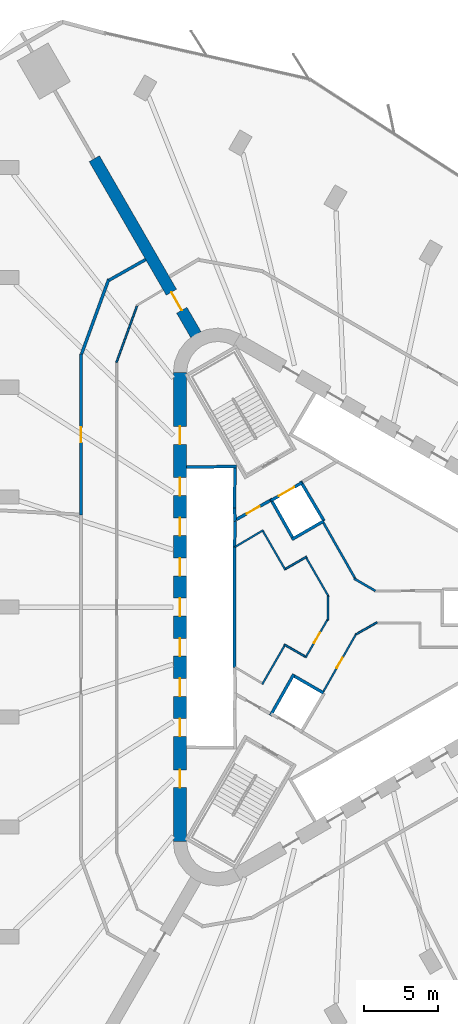
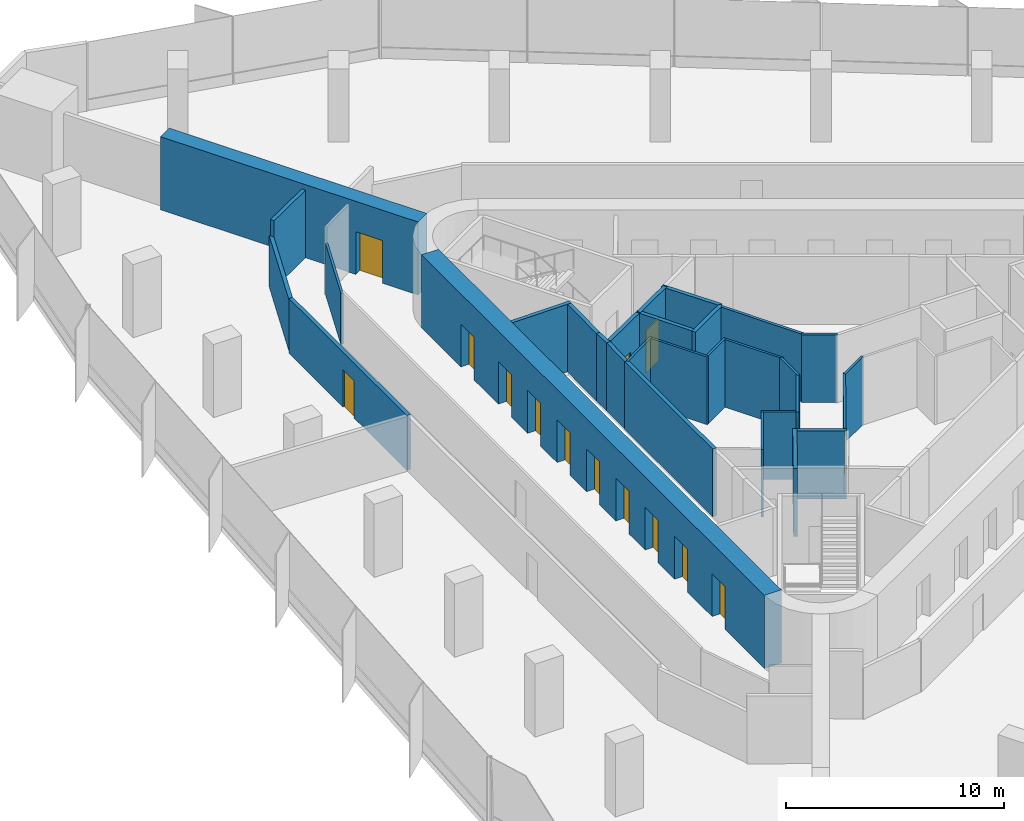
# One storey, part 10 of 14: 30 walls, 15 doors, 15 openings.
"""IFC4 building model written with IfcOpenShell, lengths in metres."""

from ifc_helpers import new_model, si_unit, direction, frame, frame_2d, origin, place, context, subcontext, project, spatial, rectangle, extrude, material, layer, layer_set, type_object, element, fill, save


model = new_model("IFC4")

# Units and contexts
model_context = context("Model", 3, precision=1e-05, world=origin(), true_north=direction((0.0, 1.0)))
body_context = subcontext(model_context, "Body", "Model", "MODEL_VIEW")
ifc_project = project(units=[si_unit("LENGTHUNIT", "METRE"), si_unit("AREAUNIT", "SQUARE_METRE"), si_unit("VOLUMEUNIT", "CUBIC_METRE"), si_unit("PLANEANGLEUNIT", "RADIAN"), si_unit("MASSUNIT", "GRAM", prefix="KILO")], contexts=[model_context])

# Site, building, storey
site_placement = place(None, origin())
site = spatial("IfcSite", under=ifc_project, at=site_placement, CompositionType="ELEMENT")
building_placement = place(site_placement, origin())
building = spatial("IfcBuilding", under=site, at=building_placement, Name="Tanit Gate Tower", CompositionType="ELEMENT")
storey_placement = place(building_placement, frame((0.0, 0.0, 74.199951171875)))
storey = spatial("IfcBuildingStorey", under=building, at=storey_placement, Name="L14", CompositionType="ELEMENT", Elevation=74.199951171875)

# Wall, opening, door
ifc_material_1 = material(Name="Concrete C60/75", Category="concrete")
ifc_layer_1 = layer(ifc_material_1, 0.800048828125)
ifc_layer_set_1 = layer_set([ifc_layer_1], Name="BUTTRESS FIN 800 C60/75")
wall_type_1 = type_object("IfcWallType", Name="BUTTRESS FIN 800 C60/75", PredefinedType="SHEAR", material=ifc_layer_set_1)
wall_1_placement = place(storey_placement, frame((-10.574951171875, 18.31640625, 0.0), z_axis=(0.0, 0.0, 1.0), x_axis=(-0.499998162141, 0.86602646487, 0.0)))
wall_1 = element("IfcWall", 1, at=wall_1_placement, inside=storey, type_object=wall_type_1, Name="BUTTRESS FIN", PredefinedType="SHEAR", context=body_context, shape_type="SweptSolid", body=[
    extrude(rectangle(XDim=13.66943359375, YDim=0.800048828125, at=frame_2d((6.834716796875, 0.0))), origin(), (0.0, 0.0, 1.0), 4.10009765625),
])
opening_1_placement = place(wall_1_placement, frame((1.89990234375, 0.0, 0.0)))
opening_1 = element("IfcOpeningElement", 2, at=opening_1_placement, cuts=wall_1, Name="Opening P14-S02-F-NW-1", PredefinedType="OPENING", context=body_context, shape_type="SweptSolid", body=[
    extrude(rectangle(XDim=1.39990234375, YDim=2.39990234375, at=frame_2d((0.699951171875, 1.199951171875))), frame((0.0, 0.41015625, 0.0), z_axis=(0.0, -1.0, 0.0), x_axis=(1.0, 0.0, 0.0)), (0.0, 0.0, 1.0), 0.820068359375),
])
ifc_material_2 = material(Name="Timber door leaf", Category="wood")
door_type_1 = type_object("IfcDoorType", Name="INT-DOOR-FIN-PAIR-1400", OperationType="NOTDEFINED", PredefinedType="NOTDEFINED", material=ifc_material_2)
door_1_placement = place(opening_1_placement, origin())
door_1 = element("IfcDoor", 3, at=door_1_placement, inside=storey, type_object=door_type_1, Name="Door P14-S02-F-NW-1", OperationType="DOUBLE_DOOR_SINGLE_SWING", OverallHeight=2.39990234375, OverallWidth=1.39990234375, PredefinedType="NOTDEFINED", context=body_context, shape_type="SweptSolid", body=[
    extrude(rectangle(XDim=1.39990234375, YDim=2.39990234375, at=frame_2d((0.699951171875, 1.199951171875))), frame((0.0, 0.02490234375, 0.0), z_axis=(0.0, -1.0, 0.0), x_axis=(1.0, 0.0, 0.0)), (0.0, 0.0, 1.0), 0.050048828125),
])
fill(opening_1, door_1)

# Wall, openings, doors
ifc_material_3 = material(Name="Concrete C60/75", Category="concrete")
ifc_layer_2 = layer(ifc_material_3, 0.89990234375)
ifc_layer_set_2 = layer_set([ifc_layer_2], Name="CORE WALL 900 C60/75")
wall_type_2 = type_object("IfcWallType", Name="CORE WALL 900 C60/75", PredefinedType="SHEAR", material=ifc_layer_set_2)
wall_2_placement = place(storey_placement, frame((-11.64990234375, 15.76171875, 0.0), z_axis=(0.0, 0.0, 1.0), x_axis=(0.0, -1.0, 0.0)))
wall_2 = element("IfcWall", 4, at=wall_2_placement, inside=storey, type_object=wall_type_2, Name="CORE WALL", PredefinedType="SHEAR", context=body_context, shape_type="SweptSolid", body=[
    extrude(rectangle(XDim=31.5234375, YDim=0.89990234375, at=frame_2d((15.76171875, 0.0))), origin(), (0.0, 0.0, 1.0), 4.10009765625),
])
opening_2_placement = place(wall_2_placement, frame((7.061767578125, 0.0, 0.0)))
opening_2 = element("IfcOpeningElement", 5, at=opening_2_placement, cuts=wall_2, Name="Opening LDLL1-S02", PredefinedType="OPENING", context=body_context, shape_type="SweptSolid", body=[
    extrude(rectangle(XDim=1.199951171875, YDim=2.39990234375, at=frame_2d((0.60009765625, 1.199951171875))), frame((0.0, 0.4599609375, 0.0), z_axis=(0.0, -1.0, 0.0), x_axis=(1.0, 0.0, 0.0)), (0.0, 0.0, 1.0), 0.919921875),
])
opening_3_placement = place(wall_2_placement, frame((9.76171875, 0.0, 0.0)))
opening_3 = element("IfcOpeningElement", 6, at=opening_3_placement, cuts=wall_2, Name="Opening LDLL2-S02", PredefinedType="OPENING", context=body_context, shape_type="SweptSolid", body=[
    extrude(rectangle(XDim=1.199951171875, YDim=2.39990234375, at=frame_2d((0.60009765625, 1.199951171875))), frame((0.0, 0.4599609375, 0.0), z_axis=(0.0, -1.0, 0.0), x_axis=(1.0, 0.0, 0.0)), (0.0, 0.0, 1.0), 0.919921875),
])
opening_4_placement = place(wall_2_placement, frame((12.461669921875, 0.0, 0.0)))
opening_4 = element("IfcOpeningElement", 7, at=opening_4_placement, cuts=wall_2, Name="Opening LDLL3-S02", PredefinedType="OPENING", context=body_context, shape_type="SweptSolid", body=[
    extrude(rectangle(XDim=1.199951171875, YDim=2.39990234375, at=frame_2d((0.60009765625, 1.199951171875))), frame((0.0, 0.4599609375, 0.0), z_axis=(0.0, -1.0, 0.0), x_axis=(1.0, 0.0, 0.0)), (0.0, 0.0, 1.0), 0.919921875),
])
opening_5_placement = place(wall_2_placement, frame((15.16162109375, 0.0, 0.0)))
opening_5 = element("IfcOpeningElement", 8, at=opening_5_placement, cuts=wall_2, Name="Opening LDLL4-S02", PredefinedType="OPENING", context=body_context, shape_type="SweptSolid", body=[
    extrude(rectangle(XDim=1.199951171875, YDim=2.39990234375, at=frame_2d((0.60009765625, 1.199951171875))), frame((0.0, 0.4599609375, 0.0), z_axis=(0.0, -1.0, 0.0), x_axis=(1.0, 0.0, 0.0)), (0.0, 0.0, 1.0), 0.919921875),
])
opening_6_placement = place(wall_2_placement, frame((17.86181640625, 0.0, 0.0)))
opening_6 = element("IfcOpeningElement", 9, at=opening_6_placement, cuts=wall_2, Name="Opening LDLL5-S02", PredefinedType="OPENING", context=body_context, shape_type="SweptSolid", body=[
    extrude(rectangle(XDim=1.199951171875, YDim=2.39990234375, at=frame_2d((0.60009765625, 1.199951171875))), frame((0.0, 0.4599609375, 0.0), z_axis=(0.0, -1.0, 0.0), x_axis=(1.0, 0.0, 0.0)), (0.0, 0.0, 1.0), 0.919921875),
])
opening_7_placement = place(wall_2_placement, frame((20.561767578125, 0.0, 0.0)))
opening_7 = element("IfcOpeningElement", 10, at=opening_7_placement, cuts=wall_2, Name="Opening LDLL6-S02", PredefinedType="OPENING", context=body_context, shape_type="SweptSolid", body=[
    extrude(rectangle(XDim=1.199951171875, YDim=2.39990234375, at=frame_2d((0.60009765625, 1.199951171875))), frame((0.0, 0.4599609375, 0.0), z_axis=(0.0, -1.0, 0.0), x_axis=(1.0, 0.0, 0.0)), (0.0, 0.0, 1.0), 0.919921875),
])
opening_8_placement = place(wall_2_placement, frame((23.26171875, 0.0, 0.0)))
opening_8 = element("IfcOpeningElement", 11, at=opening_8_placement, cuts=wall_2, Name="Opening LDLL7-S02", PredefinedType="OPENING", context=body_context, shape_type="SweptSolid", body=[
    extrude(rectangle(XDim=1.199951171875, YDim=2.39990234375, at=frame_2d((0.60009765625, 1.199951171875))), frame((0.0, 0.4599609375, 0.0), z_axis=(0.0, -1.0, 0.0), x_axis=(1.0, 0.0, 0.0)), (0.0, 0.0, 1.0), 0.919921875),
])
opening_9_placement = place(wall_2_placement, frame((3.61181640625, 0.0, 0.0)))
opening_9 = element("IfcOpeningElement", 12, at=opening_9_placement, cuts=wall_2, Name="Opening F12-S02-FL2", PredefinedType="OPENING", context=body_context, shape_type="SweptSolid", body=[
    extrude(rectangle(XDim=1.199951171875, YDim=2.39990234375, at=frame_2d((0.60009765625, 1.199951171875))), frame((0.0, 0.4599609375, 0.0), z_axis=(0.0, -1.0, 0.0), x_axis=(1.0, 0.0, 0.0)), (0.0, 0.0, 1.0), 0.919921875),
])
opening_10_placement = place(wall_2_placement, frame((26.711669921875, 0.0, 0.0)))
opening_10 = element("IfcOpeningElement", 13, at=opening_10_placement, cuts=wall_2, Name="Opening F12-S02-S3", PredefinedType="OPENING", context=body_context, shape_type="SweptSolid", body=[
    extrude(rectangle(XDim=1.199951171875, YDim=2.39990234375, at=frame_2d((0.60009765625, 1.199951171875))), frame((0.0, 0.4599609375, 0.0), z_axis=(0.0, -1.0, 0.0), x_axis=(1.0, 0.0, 0.0)), (0.0, 0.0, 1.0), 0.919921875),
])
ifc_material_4 = material(Name="Fire-rated steel door leaf", Category="steel")
door_type_2 = type_object("IfcDoorType", Name="INT-DOOR-FIRE-LOBBY-1200", OperationType="NOTDEFINED", PredefinedType="USERDEFINED", material=ifc_material_4)
door_2_placement = place(opening_9_placement, origin())
door_2 = element("IfcDoor", 14, at=door_2_placement, inside=storey, type_object=door_type_2, Name="Door F12-S02-FL2", ObjectType="FIRE DOOR", OperationType="SINGLE_SWING_LEFT", OverallHeight=2.39990234375, OverallWidth=1.199951171875, PredefinedType="USERDEFINED", context=body_context, shape_type="SweptSolid", body=[
    extrude(rectangle(XDim=1.199951171875, YDim=2.39990234375, at=frame_2d((0.60009765625, 1.199951171875))), frame((0.0, 0.02490234375, 0.0), z_axis=(0.0, -1.0, 0.0), x_axis=(1.0, 0.0, 0.0)), (0.0, 0.0, 1.0), 0.050048828125),
])
fill(opening_9, door_2)
door_3_placement = place(opening_10_placement, origin())
door_3 = element("IfcDoor", 15, at=door_3_placement, inside=storey, type_object=door_type_2, Name="Door F12-S02-S3", ObjectType="FIRE DOOR", OperationType="SINGLE_SWING_RIGHT", OverallHeight=2.39990234375, OverallWidth=1.199951171875, PredefinedType="USERDEFINED", context=body_context, shape_type="SweptSolid", body=[
    extrude(rectangle(XDim=1.199951171875, YDim=2.39990234375, at=frame_2d((0.60009765625, 1.199951171875))), frame((0.0, 0.02490234375, 0.0), z_axis=(0.0, -1.0, 0.0), x_axis=(1.0, 0.0, 0.0)), (0.0, 0.0, 1.0), 0.050048828125),
])
fill(opening_10, door_3)
ifc_material_5 = material(Name="Stainless steel sliding door leaf", Category="steel")
door_type_3 = type_object("IfcDoorType", Name="INT-DOOR-LANDING-1200", OperationType="NOTDEFINED", PredefinedType="USERDEFINED", material=ifc_material_5)
door_4_placement = place(opening_2_placement, origin())
door_4 = element("IfcDoor", 16, at=door_4_placement, inside=storey, type_object=door_type_3, Name="Door LDLL1-S02", ObjectType="LANDING DOOR", OperationType="SLIDING_TO_LEFT", OverallHeight=2.39990234375, OverallWidth=1.199951171875, PredefinedType="USERDEFINED", context=body_context, shape_type="SweptSolid", body=[
    extrude(rectangle(XDim=1.199951171875, YDim=2.39990234375, at=frame_2d((0.60009765625, 1.199951171875))), frame((0.0, 0.02490234375, 0.0), z_axis=(0.0, -1.0, 0.0), x_axis=(1.0, 0.0, 0.0)), (0.0, 0.0, 1.0), 0.050048828125),
])
fill(opening_2, door_4)
door_5_placement = place(opening_3_placement, origin())
door_5 = element("IfcDoor", 17, at=door_5_placement, inside=storey, type_object=door_type_3, Name="Door LDLL2-S02", ObjectType="LANDING DOOR", OperationType="SLIDING_TO_LEFT", OverallHeight=2.39990234375, OverallWidth=1.199951171875, PredefinedType="USERDEFINED", context=body_context, shape_type="SweptSolid", body=[
    extrude(rectangle(XDim=1.199951171875, YDim=2.39990234375, at=frame_2d((0.60009765625, 1.199951171875))), frame((0.0, 0.02490234375, 0.0), z_axis=(0.0, -1.0, 0.0), x_axis=(1.0, 0.0, 0.0)), (0.0, 0.0, 1.0), 0.050048828125),
])
fill(opening_3, door_5)
door_6_placement = place(opening_4_placement, origin())
door_6 = element("IfcDoor", 18, at=door_6_placement, inside=storey, type_object=door_type_3, Name="Door LDLL3-S02", ObjectType="LANDING DOOR", OperationType="SLIDING_TO_LEFT", OverallHeight=2.39990234375, OverallWidth=1.199951171875, PredefinedType="USERDEFINED", context=body_context, shape_type="SweptSolid", body=[
    extrude(rectangle(XDim=1.199951171875, YDim=2.39990234375, at=frame_2d((0.60009765625, 1.199951171875))), frame((0.0, 0.02490234375, 0.0), z_axis=(0.0, -1.0, 0.0), x_axis=(1.0, 0.0, 0.0)), (0.0, 0.0, 1.0), 0.050048828125),
])
fill(opening_4, door_6)
door_7_placement = place(opening_5_placement, origin())
door_7 = element("IfcDoor", 19, at=door_7_placement, inside=storey, type_object=door_type_3, Name="Door LDLL4-S02", ObjectType="LANDING DOOR", OperationType="SLIDING_TO_LEFT", OverallHeight=2.39990234375, OverallWidth=1.199951171875, PredefinedType="USERDEFINED", context=body_context, shape_type="SweptSolid", body=[
    extrude(rectangle(XDim=1.199951171875, YDim=2.39990234375, at=frame_2d((0.60009765625, 1.199951171875))), frame((0.0, 0.02490234375, 0.0), z_axis=(0.0, -1.0, 0.0), x_axis=(1.0, 0.0, 0.0)), (0.0, 0.0, 1.0), 0.050048828125),
])
fill(opening_5, door_7)
door_8_placement = place(opening_6_placement, origin())
door_8 = element("IfcDoor", 20, at=door_8_placement, inside=storey, type_object=door_type_3, Name="Door LDLL5-S02", ObjectType="LANDING DOOR", OperationType="SLIDING_TO_LEFT", OverallHeight=2.39990234375, OverallWidth=1.199951171875, PredefinedType="USERDEFINED", context=body_context, shape_type="SweptSolid", body=[
    extrude(rectangle(XDim=1.199951171875, YDim=2.39990234375, at=frame_2d((0.60009765625, 1.199951171875))), frame((0.0, 0.02490234375, 0.0), z_axis=(0.0, -1.0, 0.0), x_axis=(1.0, 0.0, 0.0)), (0.0, 0.0, 1.0), 0.050048828125),
])
fill(opening_6, door_8)
door_9_placement = place(opening_7_placement, origin())
door_9 = element("IfcDoor", 21, at=door_9_placement, inside=storey, type_object=door_type_3, Name="Door LDLL6-S02", ObjectType="LANDING DOOR", OperationType="SLIDING_TO_LEFT", OverallHeight=2.39990234375, OverallWidth=1.199951171875, PredefinedType="USERDEFINED", context=body_context, shape_type="SweptSolid", body=[
    extrude(rectangle(XDim=1.199951171875, YDim=2.39990234375, at=frame_2d((0.60009765625, 1.199951171875))), frame((0.0, 0.02490234375, 0.0), z_axis=(0.0, -1.0, 0.0), x_axis=(1.0, 0.0, 0.0)), (0.0, 0.0, 1.0), 0.050048828125),
])
fill(opening_7, door_9)
door_10_placement = place(opening_8_placement, origin())
door_10 = element("IfcDoor", 22, at=door_10_placement, inside=storey, type_object=door_type_3, Name="Door LDLL7-S02", ObjectType="LANDING DOOR", OperationType="SLIDING_TO_LEFT", OverallHeight=2.39990234375, OverallWidth=1.199951171875, PredefinedType="USERDEFINED", context=body_context, shape_type="SweptSolid", body=[
    extrude(rectangle(XDim=1.199951171875, YDim=2.39990234375, at=frame_2d((0.60009765625, 1.199951171875))), frame((0.0, 0.02490234375, 0.0), z_axis=(0.0, -1.0, 0.0), x_axis=(1.0, 0.0, 0.0)), (0.0, 0.0, 1.0), 0.050048828125),
])
fill(opening_8, door_10)

# Wall, opening, door
ifc_material_6 = material(Name="Fire-rated gypsum board partition")
ifc_layer_3 = layer(ifc_material_6, 0.199951171875)
ifc_layer_set_3 = layer_set([ifc_layer_3], Name="INT-WALL-COMPARTMENT")
wall_type_3 = type_object("IfcWallType", Name="INT-WALL-COMPARTMENT", PredefinedType="PARTITIONING", material=ifc_layer_set_3)
wall_3_placement = place(storey_placement, frame((-5.600341796875, 7.16015625, 0.0), z_axis=(0.0, 0.0, 1.0), x_axis=(-0.871363259478, -0.490638431059, 0.0)))
wall_3 = element("IfcWall", 23, at=wall_3_placement, inside=storey, type_object=wall_type_3, Name="Wall Compartment W062", PredefinedType="PARTITIONING", context=body_context, shape_type="SweptSolid", body=[
    extrude(rectangle(XDim=2.5810546875, YDim=0.199951171875, at=frame_2d((1.29052734375, 0.0))), origin(), (0.0, 0.0, 1.0), 3.800048828125),
])
opening_11_placement = place(wall_3_placement, frame((0.79052734375, 0.0, 0.0)))
opening_11 = element("IfcOpeningElement", 24, at=opening_11_placement, cuts=wall_3, Name="Opening F10-S02-05", PredefinedType="OPENING", context=body_context, shape_type="SweptSolid", body=[
    extrude(rectangle(XDim=1.0, YDim=2.10009765625, at=frame_2d((0.5, 1.050048828125))), frame((0.0, 0.10986328125, 0.0), z_axis=(0.0, -1.0, 0.0), x_axis=(1.0, 0.0, 0.0)), (0.0, 0.0, 1.0), 0.219970703125),
])
ifc_material_7 = material(Name="Fire-rated steel door leaf", Category="steel")
door_type_4 = type_object("IfcDoorType", Name="INT-DOOR-FIRE-1000", OperationType="NOTDEFINED", PredefinedType="USERDEFINED", material=ifc_material_7)
door_11_placement = place(opening_11_placement, origin())
door_11 = element("IfcDoor", 25, at=door_11_placement, inside=storey, type_object=door_type_4, Name="Door F10-S02-05", ObjectType="FIRE DOOR", OperationType="SINGLE_SWING_LEFT", OverallHeight=2.10009765625, OverallWidth=1.0, PredefinedType="USERDEFINED", context=body_context, shape_type="SweptSolid", body=[
    extrude(rectangle(XDim=1.0, YDim=2.10009765625, at=frame_2d((0.5, 1.050048828125))), frame((0.0, 0.02490234375, 0.0), z_axis=(0.0, -1.0, 0.0), x_axis=(1.0, 0.0, 0.0)), (0.0, 0.0, 1.0), 0.050048828125),
])
fill(opening_11, door_11)

wall_4_placement = place(storey_placement, frame((-18.300048828125, 17.0341796875, 0.0), z_axis=(0.0, 0.0, 1.0), x_axis=(0.0, -1.0, 0.0)))
wall_4 = element("IfcWall", 26, at=wall_4_placement, inside=storey, type_object=wall_type_3, Name="Wall Compartment W091", PredefinedType="PARTITIONING", context=body_context, shape_type="SweptSolid", body=[
    extrude(rectangle(XDim=10.835205078125, YDim=0.199951171875, at=frame_2d((5.41748046875, 0.0))), origin(), (0.0, 0.0, 1.0), 3.080078125),
])
opening_12_placement = place(wall_4_placement, frame((4.956298828125, 0.0, 0.0)))
opening_12 = element("IfcOpeningElement", 27, at=opening_12_placement, cuts=wall_4, Name="Opening F10-S02-20", PredefinedType="OPENING", context=body_context, shape_type="SweptSolid", body=[
    extrude(rectangle(XDim=1.0, YDim=2.10009765625, at=frame_2d((0.5, 1.050048828125))), frame((0.0, 0.10986328125, 0.0), z_axis=(0.0, -1.0, 0.0), x_axis=(1.0, 0.0, 0.0)), (0.0, 0.0, 1.0), 0.219970703125),
])
door_12_placement = place(opening_12_placement, origin())
door_12 = element("IfcDoor", 28, at=door_12_placement, inside=storey, type_object=door_type_4, Name="Door F10-S02-20", ObjectType="FIRE DOOR", OperationType="SINGLE_SWING_LEFT", OverallHeight=2.10009765625, OverallWidth=1.0, PredefinedType="USERDEFINED", context=body_context, shape_type="SweptSolid", body=[
    extrude(rectangle(XDim=1.0, YDim=2.10009765625, at=frame_2d((0.5, 1.050048828125))), frame((0.0, 0.02490234375, 0.0), z_axis=(0.0, -1.0, 0.0), x_axis=(1.0, 0.0, 0.0)), (0.0, 0.0, 1.0), 0.050048828125),
])
fill(opening_12, door_12)

# Walls
wall_5_placement = place(storey_placement, frame((-16.4345703125, 22.0595703125, 0.0), z_axis=(0.0, 0.0, 1.0), x_axis=(-0.342032279434, -0.939688203515, 0.0)))
element("IfcWall", 29, at=wall_5_placement, inside=storey, type_object=wall_type_3, Name="Wall Compartment W092", PredefinedType="PARTITIONING", context=body_context, shape_type="SweptSolid", body=[
    extrude(rectangle(XDim=5.354248046875, YDim=0.199951171875, at=frame_2d((2.67724609375, 0.0))), origin(), (0.0, 0.0, 1.0), 2.880126953125),
])
wall_6_placement = place(storey_placement, frame((-13.956298828125, 23.373046875, 0.0), z_axis=(0.0, 0.0, 1.0), x_axis=(-0.870578825461, -0.492028971361, 0.0)))
element("IfcWall", 30, at=wall_6_placement, inside=storey, type_object=wall_type_3, Name="Wall Compartment W093", PredefinedType="PARTITIONING", context=body_context, shape_type="SweptSolid", body=[
    extrude(rectangle(XDim=2.84423828125, YDim=0.199951171875, at=frame_2d((1.422119140625, 0.0))), origin(), (0.0, 0.0, 1.0), 3.800048828125),
])

# Wall, opening, door
ifc_material_8 = material(Name="Gypsum board partition")
ifc_layer_4 = layer(ifc_material_8, 0.1201171875)
ifc_layer_set_4 = layer_set([ifc_layer_4], Name="INT-WALL-PARTITION")
wall_type_4 = type_object("IfcWallType", Name="INT-WALL-PARTITION", PredefinedType="PARTITIONING", material=ifc_layer_set_4)
wall_7_placement = place(storey_placement, frame((0.223876953125, -1.760986328125, 0.0), z_axis=(0.0, 0.0, 1.0), x_axis=(-0.494327216836, -0.869275907118, 0.0)))
wall_7 = element("IfcWall", 31, at=wall_7_placement, inside=storey, type_object=wall_type_4, Name="Wall Partition W068", PredefinedType="PARTITIONING", context=body_context, shape_type="SweptSolid", body=[
    extrude(rectangle(XDim=4.487060546875, YDim=0.1201171875, at=frame_2d((2.24365234375, 0.0))), origin(), (0.0, 0.0, 1.0), 3.800048828125),
])
opening_13_placement = place(wall_7_placement, frame((1.89453125, 0.0, 0.0)))
opening_13 = element("IfcOpeningElement", 32, at=opening_13_placement, cuts=wall_7, Name="Opening R08-S02-11", PredefinedType="OPENING", context=body_context, shape_type="SweptSolid", body=[
    extrude(rectangle(XDim=0.800048828125, YDim=2.10009765625, at=frame_2d((0.39990234375, 1.050048828125))), frame((0.0, 0.070068359375, 0.0), z_axis=(0.0, -1.0, 0.0), x_axis=(1.0, 0.0, 0.0)), (0.0, 0.0, 1.0), 0.14013671875),
])
ifc_material_9 = material(Name="Timber door leaf", Category="wood")
door_type_5 = type_object("IfcDoorType", Name="INT-DOOR-RISER-800", OperationType="NOTDEFINED", PredefinedType="USERDEFINED", material=ifc_material_9)
door_13_placement = place(opening_13_placement, origin())
door_13 = element("IfcDoor", 33, at=door_13_placement, inside=storey, type_object=door_type_5, Name="Door R08-S02-11", ObjectType="FIRE DOOR", OperationType="SINGLE_SWING_LEFT", OverallHeight=2.10009765625, OverallWidth=0.800048828125, PredefinedType="USERDEFINED", context=body_context, shape_type="SweptSolid", body=[
    extrude(rectangle(XDim=0.800048828125, YDim=2.10009765625, at=frame_2d((0.39990234375, 1.050048828125))), frame((0.0, 0.02490234375, 0.0), z_axis=(0.0, -1.0, 0.0), x_axis=(1.0, 0.0, 0.0)), (0.0, 0.0, 1.0), 0.050048828125),
])
fill(opening_13, door_13)

# Walls
wall_8_placement = place(storey_placement, frame((1.60546875, -1.02294921875, 0.0), z_axis=(0.0, 0.0, 1.0), x_axis=(-0.866001581989, -0.50004125829, 0.0)))
element("IfcWall", 34, at=wall_8_placement, inside=storey, type_object=wall_type_4, Name="Wall Partition W069", PredefinedType="PARTITIONING", context=body_context, shape_type="SweptSolid", body=[
    extrude(rectangle(XDim=1.635009765625, YDim=0.1201171875, at=frame_2d((0.8173828125, 0.0))), origin(), (0.0, 0.0, 1.0), 3.800048828125),
])
wall_9_placement = place(storey_placement, frame((-6.03662109375, 5.17578125, 0.0), z_axis=(0.0, 0.0, 1.0), x_axis=(-0.860106072674, -0.510115225953, 0.0)))
element("IfcWall", 35, at=wall_9_placement, inside=storey, type_object=wall_type_4, Name="Wall Partition W074", PredefinedType="PARTITIONING", context=body_context, shape_type="SweptSolid", body=[
    extrude(rectangle(XDim=2.224609375, YDim=0.1201171875, at=frame_2d((1.1123046875, 0.0))), origin(), (0.0, 0.0, 1.0), 3.800048828125),
])
wall_10_placement = place(storey_placement, frame((-4.558349609375, 2.4951171875, 0.0), z_axis=(0.0, 0.0, 1.0), x_axis=(-0.499990139034, 0.866031096941, 0.0)))
element("IfcWall", 36, at=wall_10_placement, inside=storey, type_object=wall_type_4, Name="Wall Partition W075", PredefinedType="PARTITIONING", context=body_context, shape_type="SweptSolid", body=[
    extrude(rectangle(XDim=3.0, YDim=0.1201171875, at=frame_2d((1.5, 0.0))), origin(), (0.0, 0.0, 1.0), 3.800048828125),
])
wall_11_placement = place(storey_placement, frame((-3.12890625, 3.3896484375, 0.0), z_axis=(0.0, 0.0, 1.0), x_axis=(-0.866053003207, -0.499952193351, 0.0)))
element("IfcWall", 37, at=wall_11_placement, inside=storey, type_object=wall_type_4, Name="Wall Partition W076", PredefinedType="PARTITIONING", context=body_context, shape_type="SweptSolid", body=[
    extrude(rectangle(XDim=1.625244140625, YDim=0.1201171875, at=frame_2d((0.8125, 0.0))), origin(), (0.0, 0.0, 1.0), 3.800048828125),
])
wall_12_placement = place(storey_placement, frame((-1.63671875, 0.68505859375, 0.0), z_axis=(0.0, 0.0, 1.0), x_axis=(-0.500006252586, 0.866021793822, 0.0)))
element("IfcWall", 38, at=wall_12_placement, inside=storey, type_object=wall_type_4, Name="Wall Partition W077", PredefinedType="PARTITIONING", context=body_context, shape_type="SweptSolid", body=[
    extrude(rectangle(XDim=3.0283203125, YDim=0.1201171875, at=frame_2d((1.51416015625, 0.0))), origin(), (0.0, 0.0, 1.0), 3.800048828125),
])
wall_13_placement = place(storey_placement, frame((-1.688720703125, -0.87890625, 0.0), z_axis=(0.0, 0.0, 1.0), x_axis=(0.0, 1.0, 0.0)))
element("IfcWall", 39, at=wall_13_placement, inside=storey, type_object=wall_type_4, Name="Wall Partition W078", PredefinedType="PARTITIONING", context=body_context, shape_type="SweptSolid", body=[
    extrude(rectangle(XDim=1.63525390625, YDim=0.1201171875, at=frame_2d((0.817626953125, 0.0))), origin(), (0.0, 0.0, 1.0), 3.800048828125),
])

# Wall, opening, door
wall_14_placement = place(storey_placement, frame((-3.2109375, -3.41162109375, 0.0), z_axis=(0.0, 0.0, 1.0), x_axis=(0.499983190554, 0.866035108505, 0.0)))
wall_14 = element("IfcWall", 40, at=wall_14_placement, inside=storey, type_object=wall_type_4, Name="Wall Partition W079", PredefinedType="PARTITIONING", context=body_context, shape_type="SweptSolid", body=[
    extrude(rectangle(XDim=3.02587890625, YDim=0.1201171875, at=frame_2d((1.512939453125, 0.0))), origin(), (0.0, 0.0, 1.0), 3.800048828125),
])
opening_14_placement = place(wall_14_placement, frame((1.142822265625, 0.0, 0.0)))
opening_14 = element("IfcOpeningElement", 41, at=opening_14_placement, cuts=wall_14, Name="Opening R08-S02-12", PredefinedType="OPENING", context=body_context, shape_type="SweptSolid", body=[
    extrude(rectangle(XDim=0.800048828125, YDim=2.10009765625, at=frame_2d((0.39990234375, 1.050048828125))), frame((0.0, 0.070068359375, 0.0), z_axis=(0.0, -1.0, 0.0), x_axis=(1.0, 0.0, 0.0)), (0.0, 0.0, 1.0), 0.14013671875),
])
door_14_placement = place(opening_14_placement, origin())
door_14 = element("IfcDoor", 42, at=door_14_placement, inside=storey, type_object=door_type_5, Name="Door R08-S02-12", ObjectType="FIRE DOOR", OperationType="SINGLE_SWING_LEFT", OverallHeight=2.10009765625, OverallWidth=0.800048828125, PredefinedType="USERDEFINED", context=body_context, shape_type="SweptSolid", body=[
    extrude(rectangle(XDim=0.800048828125, YDim=2.10009765625, at=frame_2d((0.39990234375, 1.050048828125))), frame((0.0, 0.02490234375, 0.0), z_axis=(0.0, -1.0, 0.0), x_axis=(1.0, 0.0, 0.0)), (0.0, 0.0, 1.0), 0.050048828125),
])
fill(opening_14, door_14)

# Walls
wall_15_placement = place(storey_placement, frame((-4.64013671875, -2.51708984375, 0.0), z_axis=(0.0, 0.0, 1.0), x_axis=(0.866015446554, -0.500017246033, 0.0)))
element("IfcWall", 43, at=wall_15_placement, inside=storey, type_object=wall_type_4, Name="Wall Partition W080", PredefinedType="PARTITIONING", context=body_context, shape_type="SweptSolid", body=[
    extrude(rectangle(XDim=1.625, YDim=0.1201171875, at=frame_2d((0.8125, 0.0))), origin(), (0.0, 0.0, 1.0), 3.800048828125),
])
wall_16_placement = place(storey_placement, frame((-6.1181640625, -5.197265625, 0.0), z_axis=(0.0, 0.0, 1.0), x_axis=(0.499990139034, 0.866031096941, 0.0)))
element("IfcWall", 44, at=wall_16_placement, inside=storey, type_object=wall_type_4, Name="Wall Partition W081", PredefinedType="PARTITIONING", context=body_context, shape_type="SweptSolid", body=[
    extrude(rectangle(XDim=3.0, YDim=0.1201171875, at=frame_2d((1.5, 0.0))), origin(), (0.0, 0.0, 1.0), 3.800048828125),
])
wall_17_placement = place(storey_placement, frame((-14.527587890625, 20.281982421875, 0.0), z_axis=(0.0, 0.0, 1.0), x_axis=(-0.341969257767, -0.939711140054, 0.0)))
element("IfcWall", 45, at=wall_17_placement, inside=storey, type_object=wall_type_4, Name="Wall Partition W084", PredefinedType="PARTITIONING", context=body_context, shape_type="SweptSolid", body=[
    extrude(rectangle(XDim=4.072998046875, YDim=0.1201171875, at=frame_2d((2.03662109375, 0.0))), origin(), (0.0, 0.0, 1.0), 2.880126953125),
])
ifc_material_10 = material(Name="Fire-rated gypsum board partition")
ifc_layer_5 = layer(ifc_material_10, 0.14990234375)
ifc_layer_set_5 = layer_set([ifc_layer_5], Name="INT-WALL-RISER")
wall_type_5 = type_object("IfcWallType", Name="INT-WALL-RISER", PredefinedType="PLUMBINGWALL", material=ifc_layer_set_5)
wall_18_placement = place(storey_placement, frame((0.0625, 1.9140625, 0.0), z_axis=(0.0, 0.0, 1.0), x_axis=(0.866018462269, -0.500012022864, 0.0)))
element("IfcWall", 46, at=wall_18_placement, inside=storey, type_object=wall_type_5, Name="Wall Riser W066", PredefinedType="PLUMBINGWALL", context=body_context, shape_type="SweptSolid", body=[
    extrude(rectangle(XDim=1.654296875, YDim=0.14990234375, at=frame_2d((0.8271484375, 0.0))), origin(), (0.0, 0.0, 1.0), 3.800048828125),
])
wall_19_placement = place(storey_placement, frame((-1.994140625, 5.661376953125, 0.0), z_axis=(0.0, 0.0, 1.0), x_axis=(0.494341211302, -0.869267948798, 0.0)))
element("IfcWall", 47, at=wall_19_placement, inside=storey, type_object=wall_type_5, Name="Wall Riser W067", PredefinedType="PLUMBINGWALL", context=body_context, shape_type="SweptSolid", body=[
    extrude(rectangle(XDim=4.36083984375, YDim=0.14990234375, at=frame_2d((2.180419921875, 0.0))), origin(), (0.0, 0.0, 1.0), 3.800048828125),
])
ifc_material_11 = material(Name="Gypsum shaft wall system")
ifc_layer_6 = layer(ifc_material_11, 0.199951171875)
ifc_layer_set_6 = layer_set([ifc_layer_6], Name="INT-WALL-SHAFT")
wall_type_6 = type_object("IfcWallType", Name="INT-WALL-SHAFT", PredefinedType="PLUMBINGWALL", material=ifc_layer_set_6)
wall_20_placement = place(storey_placement, frame((-11.199951171875, 9.419921875, 0.0), z_axis=(0.0, 0.0, 1.0), x_axis=(0.999957167047, 0.009255488683, 0.0)))
element("IfcWall", 48, at=wall_20_placement, inside=storey, type_object=wall_type_6, Name="Wall Shaft W001", PredefinedType="PLUMBINGWALL", context=body_context, shape_type="SweptSolid", body=[
    extrude(rectangle(XDim=3.35009765625, YDim=0.199951171875, at=frame_2d((1.675048828125, 0.0))), origin(), (0.0, 0.0, 1.0), 3.800048828125),
])
wall_21_placement = place(storey_placement, frame((-7.951171875, 9.35009765625, 0.0), z_axis=(0.0, 0.0, 1.0), x_axis=(-0.011120469654, -0.999938165666, 0.0)))
element("IfcWall", 49, at=wall_21_placement, inside=storey, type_object=wall_type_6, Name="Wall Shaft W002", PredefinedType="PLUMBINGWALL", context=body_context, shape_type="SweptSolid", body=[
    extrude(rectangle(XDim=2.700439453125, YDim=0.199951171875, at=frame_2d((1.35009765625, 0.0))), origin(), (0.0, 0.0, 1.0), 3.800048828125),
])
wall_22_placement = place(storey_placement, frame((-7.97705078125, 6.650146484375, 0.0), z_axis=(0.0, 0.0, 1.0), x_axis=(0.030861509705, -0.999523670164, 0.0)))
element("IfcWall", 50, at=wall_22_placement, inside=storey, type_object=wall_type_6, Name="Wall Shaft W004", PredefinedType="PLUMBINGWALL", context=body_context, shape_type="SweptSolid", body=[
    extrude(rectangle(XDim=0.878173828125, YDim=0.199951171875, at=frame_2d((0.43896484375, 0.0))), origin(), (0.0, 0.0, 1.0), 3.800048828125),
])
wall_23_placement = place(storey_placement, frame((-7.94921875, 5.894775390625, 0.0), z_axis=(0.0, 0.0, 1.0), x_axis=(-0.012042535896, -0.999927486035, 0.0)))
element("IfcWall", 51, at=wall_23_placement, inside=storey, type_object=wall_type_6, Name="Wall Shaft W005", PredefinedType="PLUMBINGWALL", context=body_context, shape_type="SweptSolid", body=[
    extrude(rectangle(XDim=1.844970703125, YDim=0.199951171875, at=frame_2d((0.92236328125, 0.0))), origin(), (0.0, 0.0, 1.0), 3.800048828125),
])
wall_24_placement = place(storey_placement, frame((-7.97998046875, 4.050048828125, 0.0), z_axis=(0.0, 0.0, 1.0), x_axis=(0.0, -1.0, 0.0)))
element("IfcWall", 52, at=wall_24_placement, inside=storey, type_object=wall_type_6, Name="Wall Shaft W006", PredefinedType="PLUMBINGWALL", context=body_context, shape_type="SweptSolid", body=[
    extrude(rectangle(XDim=8.10009765625, YDim=0.199951171875, at=frame_2d((4.050048828125, 0.0))), origin(), (0.0, 0.0, 1.0), 3.800048828125),
])

# Wall, opening, door
wall_25_placement = place(storey_placement, frame((-5.524169921875, 7.168212890625, 0.0), z_axis=(0.0, 0.0, 1.0), x_axis=(0.866024647952, 0.500001309137, 0.0)))
wall_25 = element("IfcWall", 53, at=wall_25_placement, inside=storey, type_object=wall_type_6, Name="Wall Shaft W045", PredefinedType="PLUMBINGWALL", context=body_context, shape_type="SweptSolid", body=[
    extrude(rectangle(XDim=2.39990234375, YDim=0.199951171875, at=frame_2d((1.199951171875, 0.0))), origin(), (0.0, 0.0, 1.0), 3.800048828125),
])
opening_15_placement = place(wall_25_placement, frame((0.60009765625, 0.0, 0.0)))
opening_15 = element("IfcOpeningElement", 54, at=opening_15_placement, cuts=wall_25, Name="Opening LDFL2-L14", PredefinedType="OPENING", context=body_context, shape_type="SweptSolid", body=[
    extrude(rectangle(XDim=1.199951171875, YDim=2.39990234375, at=frame_2d((0.60009765625, 1.199951171875))), frame((0.0, 0.10986328125, 0.0), z_axis=(0.0, -1.0, 0.0), x_axis=(1.0, 0.0, 0.0)), (0.0, 0.0, 1.0), 0.219970703125),
])
door_15_placement = place(opening_15_placement, origin())
door_15 = element("IfcDoor", 55, at=door_15_placement, inside=storey, type_object=door_type_3, Name="Door LDFL2-L14", ObjectType="LANDING DOOR", OperationType="SLIDING_TO_LEFT", OverallHeight=2.39990234375, OverallWidth=1.199951171875, PredefinedType="USERDEFINED", context=body_context, shape_type="SweptSolid", body=[
    extrude(rectangle(XDim=1.199951171875, YDim=2.39990234375, at=frame_2d((0.60009765625, 1.199951171875))), frame((0.0, 0.02490234375, 0.0), z_axis=(0.0, -1.0, 0.0), x_axis=(1.0, 0.0, 0.0)), (0.0, 0.0, 1.0), 0.050048828125),
])
fill(opening_15, door_15)

# Walls
wall_26_placement = place(storey_placement, frame((-3.53759765625, 8.46533203125, 0.0), z_axis=(0.0, 0.0, 1.0), x_axis=(0.508647062354, -0.860975125052, 0.0)))
element("IfcWall", 56, at=wall_26_placement, inside=storey, type_object=wall_type_6, Name="Wall Shaft W046", PredefinedType="PLUMBINGWALL", context=body_context, shape_type="SweptSolid", body=[
    extrude(rectangle(XDim=3.10009765625, YDim=0.199951171875, at=frame_2d((1.550048828125, 0.0))), origin(), (0.0, 0.0, 1.0), 3.800048828125),
])
wall_27_placement = place(storey_placement, frame((-1.978515625, 5.785888671875, 0.0), z_axis=(0.0, 0.0, 1.0), x_axis=(-0.866016689309, -0.500015093611, 0.0)))
element("IfcWall", 57, at=wall_27_placement, inside=storey, type_object=wall_type_6, Name="Wall Shaft W047", PredefinedType="PLUMBINGWALL", context=body_context, shape_type="SweptSolid", body=[
    extrude(rectangle(XDim=2.4794921875, YDim=0.199951171875, at=frame_2d((1.23974609375, 0.0))), origin(), (0.0, 0.0, 1.0), 3.800048828125),
])
wall_28_placement = place(storey_placement, frame((-5.5625, 7.29638671875, 0.0), z_axis=(0.0, 0.0, 1.0), x_axis=(0.49134651263, -0.870964180966, 0.0)))
element("IfcWall", 58, at=wall_28_placement, inside=storey, type_object=wall_type_6, Name="Wall Shaft W048", PredefinedType="PLUMBINGWALL", context=body_context, shape_type="SweptSolid", body=[
    extrude(rectangle(XDim=3.000244140625, YDim=0.199951171875, at=frame_2d((1.5, 0.0))), origin(), (0.0, 0.0, 1.0), 3.800048828125),
])
wall_29_placement = place(storey_placement, frame((-3.989990234375, -4.509033203125, 0.0), z_axis=(0.0, 0.0, 1.0), x_axis=(-0.491358283181, -0.870957540612, 0.0)))
element("IfcWall", 59, at=wall_29_placement, inside=storey, type_object=wall_type_6, Name="Wall Shaft W055", PredefinedType="PLUMBINGWALL", context=body_context, shape_type="SweptSolid", body=[
    extrude(rectangle(XDim=3.200439453125, YDim=0.199951171875, at=frame_2d((1.60009765625, 0.0))), origin(), (0.0, 0.0, 1.0), 3.800048828125),
])
wall_30_placement = place(storey_placement, frame((-3.95263671875, -4.646240234375, 0.0), z_axis=(0.0, 0.0, 1.0), x_axis=(0.866065302921, -0.4999308863, 0.0)))
element("IfcWall", 60, at=wall_30_placement, inside=storey, type_object=wall_type_6, Name="Wall Shaft W056", PredefinedType="PLUMBINGWALL", context=body_context, shape_type="SweptSolid", body=[
    extrude(rectangle(XDim=2.264404296875, YDim=0.199951171875, at=frame_2d((1.13232421875, 0.0))), origin(), (0.0, 0.0, 1.0), 3.800048828125),
])

save(model, "model.ifc")
